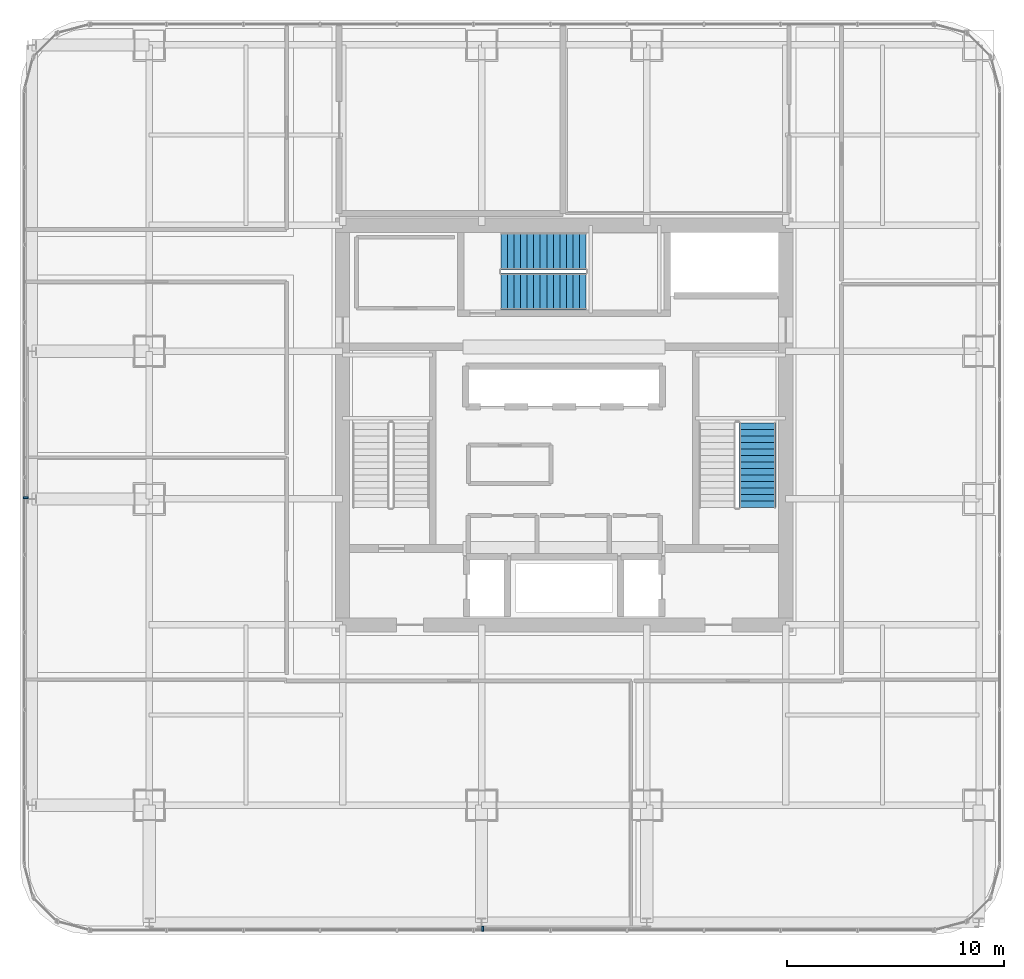
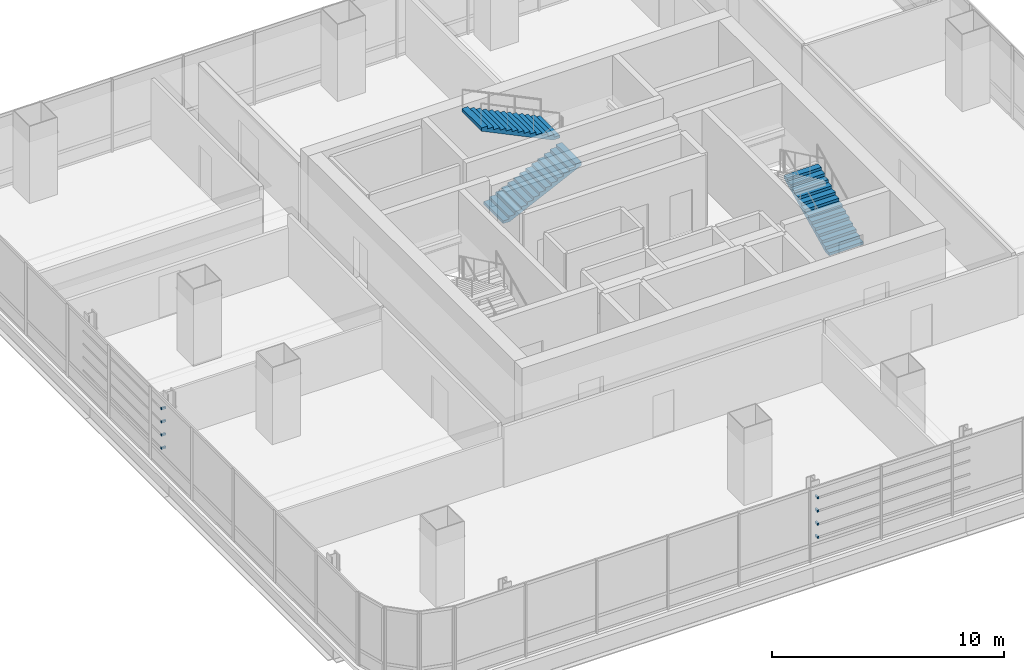
# One storey, part 31 of 36: 8 discrete accessories, 3 stair flights, 2 elements without a shape of their own.
"""IFC4 building model written with IfcOpenShell, lengths in metres."""

from ifc_helpers import new_model, si_unit, direction, frame, origin, origin_2d, place, context, subcontext, project, spatial, polyline, rectangle, outline, extrude, material, type_object, element, aggregate, save


model = new_model("IFC4")

# Units and contexts
model_context = context("Model", 3, precision=1e-05, world=origin(), true_north=direction((0.0, 1.0)))
body_context = subcontext(model_context, "Body", "Model", "MODEL_VIEW")
ifc_project = project(units=[si_unit("LENGTHUNIT", "METRE"), si_unit("AREAUNIT", "SQUARE_METRE"), si_unit("VOLUMEUNIT", "CUBIC_METRE"), si_unit("PLANEANGLEUNIT", "RADIAN"), si_unit("MASSUNIT", "GRAM", prefix="KILO")], contexts=[model_context])

# Site, building, storey
site_placement = place(None, origin())
site = spatial("IfcSite", under=ifc_project, at=site_placement, CompositionType="ELEMENT")
building_placement = place(site_placement, origin())
building = spatial("IfcBuilding", under=site, at=building_placement, Name="Punatoya Terracotta Tower", CompositionType="ELEMENT")
storey_placement = place(building_placement, frame((0.0, 0.0, 184.35009765625)))
storey = spatial("IfcBuildingStorey", under=building, at=storey_placement, Name="L43", CompositionType="ELEMENT", Elevation=184.35009765625)

# Stair, stair flight
ifc_material_1 = material(Name="Concrete C40/50", Category="concrete")
stair_type_1 = type_object("IfcStairType", Name="STR-LOB-1650", PredefinedType="HALF_TURN_STAIR", material=ifc_material_1)
stair_1_placement = place(storey_placement, origin())
stair_1 = element("IfcStair", 1, at=stair_1_placement, inside=storey, type_object=stair_type_1, Name="L43 Protected Core Exit Stair ST-2", PredefinedType="HALF_TURN_STAIR")
stair_flight_type_1 = type_object("IfcStairFlightType", Name="SFL-LOB-1650", PredefinedType="STRAIGHT", material=ifc_material_1)
stair_flight_1_placement = place(storey_placement, frame((8.89990234375, -3.800048828125, 0.0), z_axis=(0.0, 0.0, 1.0), x_axis=(0.0, 1.0, 0.0)))
stair_flight_1 = element("IfcStairFlight", 2, at=stair_flight_1_placement, type_object=stair_flight_type_1, Name="ST-2 flight 1", NumberOfRisers=14, NumberOfTreads=13, PredefinedType="STRAIGHT", RiserHeight=0.144642857, TreadLength=0.3, context=body_context, shape_type="SweptSolid", body=[
    extrude(outline(polyline([(0.0, 0.0), (0.0, 0.14453125), (0.300048828125, 0.14453125), (0.300048828125, 0.289306640625), (0.60009765625, 0.289306640625), (0.60009765625, 0.433837890625), (0.89990234375, 0.433837890625), (0.89990234375, 0.57861328125), (1.199951171875, 0.57861328125), (1.199951171875, 0.72314453125), (1.5, 0.72314453125), (1.5, 0.867919921875), (1.800048828125, 0.867919921875), (1.800048828125, 1.012451171875), (2.10009765625, 1.012451171875), (2.10009765625, 1.1572265625), (2.39990234375, 1.1572265625), (2.39990234375, 1.3017578125), (2.699951171875, 1.3017578125), (2.699951171875, 1.446533203125), (3.0, 1.446533203125), (3.0, 1.591064453125), (3.300048828125, 1.591064453125), (3.300048828125, 1.735595703125), (3.60009765625, 1.735595703125), (3.60009765625, 1.88037109375), (3.89990234375, 1.88037109375), (3.89990234375, 2.02490234375), (3.89990234375, 1.7138671875), (0.34521484375, 0.0), (0.0, 0.0)])), frame((0.0, 0.85009765625, 0.0), z_axis=(0.0, -1.0, 0.0), x_axis=(1.0, 0.0, 0.0)), (0.0, 0.0, 1.0), 1.699951171875),
])
aggregate(stair_1, [stair_flight_1])

# Stair, stair flights
stair_type_2 = type_object("IfcStairType", Name="STR-TER-1450", PredefinedType="HALF_TURN_STAIR", material=ifc_material_1)
stair_2_placement = place(storey_placement, origin())
stair_2 = element("IfcStair", 3, at=stair_2_placement, inside=storey, type_object=stair_type_2, Name="L43 Protected Core Exit Stair ST-3", PredefinedType="HALF_TURN_STAIR")
stair_flight_type_2 = type_object("IfcStairFlightType", Name="SFL-TER-1450", PredefinedType="STRAIGHT", material=ifc_material_1)
stair_flight_2_placement = place(storey_placement, frame((-2.89990234375, 6.14990234375, 0.0), z_axis=(0.0, 0.0, 1.0), x_axis=(1.0, 0.0, 0.0)))
stair_flight_2 = element("IfcStairFlight", 4, at=stair_flight_2_placement, type_object=stair_flight_type_2, Name="ST-3 flight 1", NumberOfRisers=14, NumberOfTreads=13, PredefinedType="STRAIGHT", RiserHeight=0.144642857, TreadLength=0.3, context=body_context, shape_type="SweptSolid", body=[
    extrude(outline(polyline([(0.0, 0.0), (0.0, 0.14453125), (0.300048828125, 0.14453125), (0.300048828125, 0.289306640625), (0.60009765625, 0.289306640625), (0.60009765625, 0.433837890625), (0.89990234375, 0.433837890625), (0.89990234375, 0.57861328125), (1.199951171875, 0.57861328125), (1.199951171875, 0.72314453125), (1.5, 0.72314453125), (1.5, 0.867919921875), (1.800048828125, 0.867919921875), (1.800048828125, 1.012451171875), (2.10009765625, 1.012451171875), (2.10009765625, 1.1572265625), (2.39990234375, 1.1572265625), (2.39990234375, 1.3017578125), (2.699951171875, 1.3017578125), (2.699951171875, 1.446533203125), (3.0, 1.446533203125), (3.0, 1.591064453125), (3.300048828125, 1.591064453125), (3.300048828125, 1.735595703125), (3.60009765625, 1.735595703125), (3.60009765625, 1.88037109375), (3.89990234375, 1.88037109375), (3.89990234375, 2.02490234375), (3.89990234375, 1.7138671875), (0.34521484375, 0.0), (0.0, 0.0)])), frame((0.0, 0.85009765625, 0.0), z_axis=(0.0, -1.0, 0.0), x_axis=(1.0, 0.0, 0.0)), (0.0, 0.0, 1.0), 1.699951171875),
])
stair_flight_3_placement = place(storey_placement, frame((1.0, 8.0, 2.02490234375), z_axis=(0.0, 0.0, 1.0), x_axis=(-1.0, 0.0, 0.0)))
stair_flight_3 = element("IfcStairFlight", 5, at=stair_flight_3_placement, type_object=stair_flight_type_2, Name="ST-3 flight 2", NumberOfRisers=14, NumberOfTreads=13, PredefinedType="STRAIGHT", RiserHeight=0.144642857, TreadLength=0.3, context=body_context, shape_type="SweptSolid", body=[
    extrude(outline(polyline([(0.0, 0.0), (0.0, 0.14453125), (0.300048828125, 0.14453125), (0.300048828125, 0.289306640625), (0.60009765625, 0.289306640625), (0.60009765625, 0.433837890625), (0.89990234375, 0.433837890625), (0.89990234375, 0.57861328125), (1.199951171875, 0.57861328125), (1.199951171875, 0.72314453125), (1.5, 0.72314453125), (1.5, 0.867919921875), (1.800048828125, 0.867919921875), (1.800048828125, 1.012451171875), (2.10009765625, 1.012451171875), (2.10009765625, 1.1572265625), (2.39990234375, 1.1572265625), (2.39990234375, 1.3017578125), (2.699951171875, 1.3017578125), (2.699951171875, 1.446533203125), (3.0, 1.446533203125), (3.0, 1.591064453125), (3.300048828125, 1.591064453125), (3.300048828125, 1.735595703125), (3.60009765625, 1.735595703125), (3.60009765625, 1.88037109375), (3.89990234375, 1.88037109375), (3.89990234375, 2.02490234375), (3.89990234375, 1.7138671875), (0.34521484375, 0.0), (0.0, 0.0)])), frame((0.0, 0.85009765625, 0.0), z_axis=(0.0, -1.0, 0.0), x_axis=(1.0, 0.0, 0.0)), (0.0, 0.0, 1.0), 1.699951171875),
])
aggregate(stair_2, [stair_flight_2, stair_flight_3])

# Discrete accessories
ifc_material_2 = material(Name="Steel S355", Category="steel")
discrete_accessory_type = type_object("IfcDiscreteAccessoryType", Name="ACC-BRK-220", PredefinedType="BRACKET", material=ifc_material_2)
for number, where, z_axis, x_axis, name in (
    (6, (-3.75, -23.1826171875, 1.099853515625), (0.0, 0.0, 1.0), (1.0, 0.0, 0.0), "L43 Baguette Louvre Column Bracket BAG-L43-S-01"),
    (7, (-3.75, -23.1826171875, 1.793212890625), (0.0, 0.0, 1.0), (1.0, 0.0, 0.0), "L43 Baguette Louvre Column Bracket BAG-L43-S-02"),
    (8, (-3.75, -23.1826171875, 2.486572265625), (0.0, 0.0, 1.0), (1.0, 0.0, 0.0), "L43 Baguette Louvre Column Bracket BAG-L43-S-03"),
    (9, (-3.75, -23.1826171875, 3.179931640625), (0.0, 0.0, 1.0), (1.0, 0.0, 0.0), "L43 Baguette Louvre Column Bracket BAG-L43-S-04"),
    (10, (-24.782470703125, -3.35009765625, 1.099853515625), (0.0, 0.0, 1.0), (0.0, 1.0, 0.0), "L43 Baguette Louvre Column Bracket BAG-L43-W-01"),
    (11, (-24.782470703125, -3.35009765625, 1.793212890625), (0.0, 0.0, 1.0), (0.0, 1.0, 0.0), "L43 Baguette Louvre Column Bracket BAG-L43-W-02"),
    (12, (-24.782470703125, -3.35009765625, 2.486572265625), (0.0, 0.0, 1.0), (0.0, 1.0, 0.0), "L43 Baguette Louvre Column Bracket BAG-L43-W-03"),
    (13, (-24.782470703125, -3.35009765625, 3.179931640625), (0.0, 0.0, 1.0), (0.0, 1.0, 0.0), "L43 Baguette Louvre Column Bracket BAG-L43-W-04"),
):
    element("IfcDiscreteAccessory", number, at=place(storey_placement, frame(where, z_axis=z_axis, x_axis=x_axis)), inside=storey, type_object=discrete_accessory_type, Name=name, PredefinedType="BRACKET", context=body_context, shape_type="SweptSolid", body=[
        extrude(rectangle(XDim=0.090087890625, YDim=0.219970703125, at=origin_2d()), origin(), (0.0, 0.0, 1.0), 0.10009765625),
    ])

save(model, "model.ifc")
